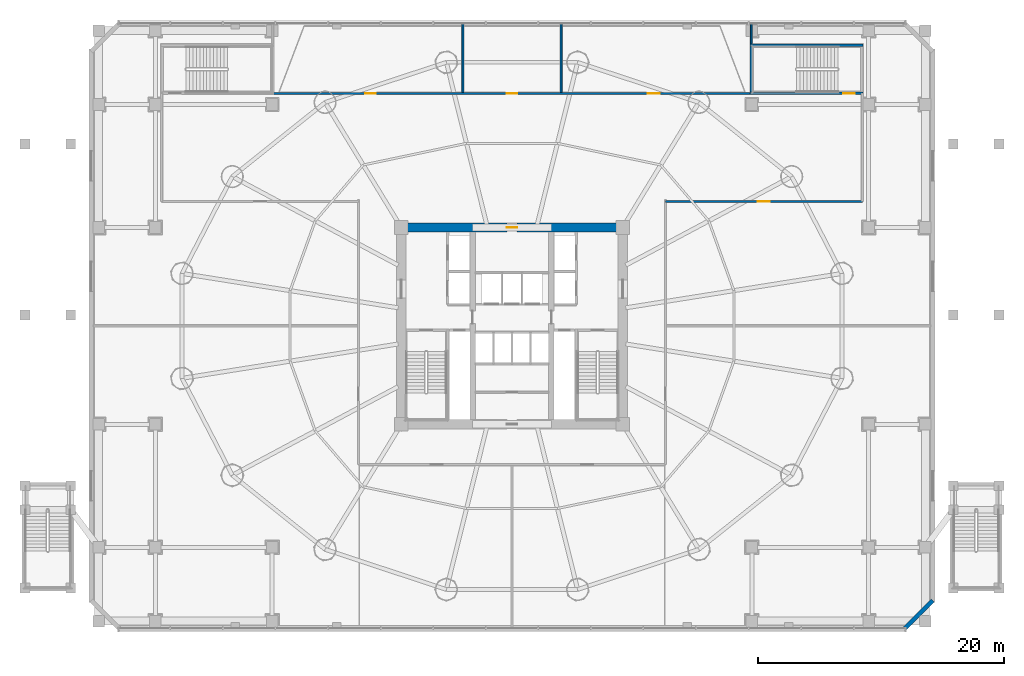
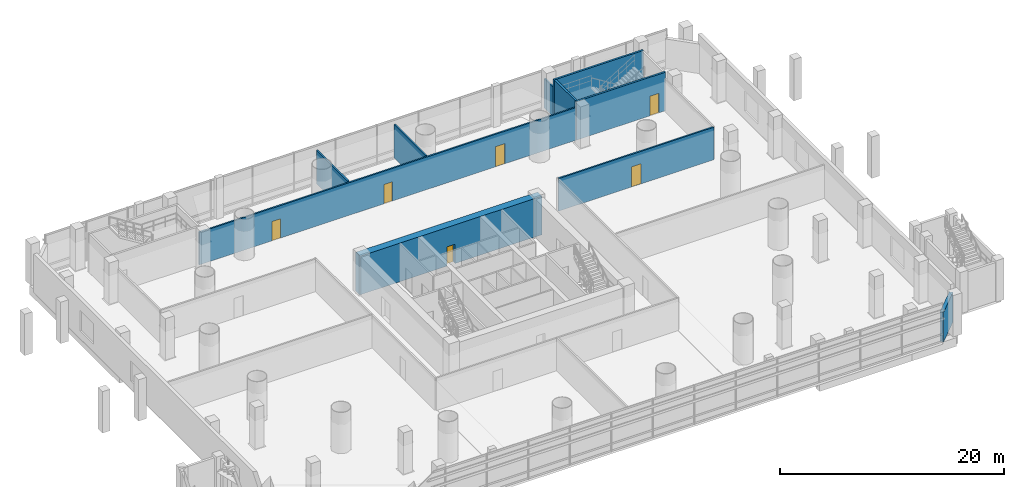
# One storey, part 23 of 36: 10 walls, 6 doors, 6 openings.
"""IFC4 building model written with IfcOpenShell, lengths in metres."""

from ifc_helpers import new_model, si_unit, direction, frame, frame_2d, origin, place, context, subcontext, project, spatial, rectangle, extrude, source, transform, mapped, material, layer, layer_set, type_object, element, fill, save


model = new_model("IFC4")

# Units and contexts
model_context = context("Model", 3, precision=1e-05, world=origin(), true_north=direction((-0.2419218956, 0.970295726276)))
body_context = subcontext(model_context, "Body", "Model", "MODEL_VIEW")
ifc_project = project(units=[si_unit("LENGTHUNIT", "METRE"), si_unit("AREAUNIT", "SQUARE_METRE"), si_unit("VOLUMEUNIT", "CUBIC_METRE"), si_unit("PLANEANGLEUNIT", "RADIAN"), si_unit("MASSUNIT", "GRAM", prefix="KILO")], contexts=[model_context])

# Site, building, storey
site_placement = place(None, origin())
site = spatial("IfcSite", under=ifc_project, at=site_placement, CompositionType="ELEMENT")
building_placement = place(site_placement, origin())
building = spatial("IfcBuilding", under=site, at=building_placement, Name="Cobrevalo Terracotta Tower", CompositionType="ELEMENT")
storey_placement = place(building_placement, frame((0.0, 0.0, 5.39990234375)))
storey = spatial("IfcBuildingStorey", under=building, at=storey_placement, Name="L01", CompositionType="ELEMENT", Elevation=5.39990234375)

# Wall
ifc_material_1 = material(Name="Concrete C45", Category="concrete")
ifc_layer_1 = layer(ifc_material_1, 0.35009765625)
ifc_layer_set_1 = layer_set([ifc_layer_1], Name="Concrete C45")
wall_type_1 = type_object("IfcWallType", Name="Board-marked precast architectural concrete facade wall 350 mm", PredefinedType="SOLIDWALL", material=ifc_layer_set_1)
wall_1_placement = place(storey_placement, frame((69.919921875, 2.199951171875, 0.0), z_axis=(0.0, 0.0, 1.0), x_axis=(0.707106781187, 0.707106781187, 0.0)))
element("IfcWall", 1, at=wall_1_placement, inside=storey, type_object=wall_type_1, Name="L01 chamfered corner pier SE", PredefinedType="SOLIDWALL", context=body_context, shape_type="SweptSolid", body=[
    extrude(rectangle(XDim=3.224365234375, YDim=0.35009765625, at=frame_2d((1.6123046875, 0.0))), origin(), (0.0, 0.0, 1.0), 3.235107421875),
])

# Wall, opening, door
ifc_material_2 = material(Name="Concrete C60", Category="concrete")
ifc_layer_2 = layer(ifc_material_2, 0.75)
ifc_layer_set_2 = layer_set([ifc_layer_2], Name="Concrete C60")
wall_type_2 = type_object("IfcWallType", Name="Core shear wall 750 mm Concrete C60", PredefinedType="SHEAR", material=ifc_layer_set_2)
wall_2_placement = place(storey_placement, frame((28.625, 34.800048828125, 0.0), z_axis=(0.0, 0.0, 1.0), x_axis=(1.0, 0.0, 0.0)))
wall_2 = element("IfcWall", 2, at=wall_2_placement, inside=storey, type_object=wall_type_2, Name="L01 north core shear wall", PredefinedType="SHEAR", context=body_context, shape_type="SweptSolid", body=[
    extrude(rectangle(XDim=18.75, YDim=0.75, at=frame_2d((9.375, 0.0))), origin(), (0.0, 0.0, 1.0), 4.2001953125),
])
opening_1_placement = place(wall_2_placement, frame((8.949951171875, 0.0, 0.0)))
opening_1 = element("IfcOpeningElement", 3, at=opening_1_placement, cuts=wall_2, Name="Opening ID-22", PredefinedType="OPENING", context=body_context, shape_type="SweptSolid", body=[
    extrude(rectangle(XDim=0.85009765625, YDim=2.10009765625, at=frame_2d((0.425048828125, 1.050048828125))), frame((0.0, 0.385009765625, 0.0), z_axis=(0.0, -1.0, 0.0), x_axis=(1.0, 0.0, 0.0)), (0.0, 0.0, 1.0), 0.77001953125),
])
ifc_material_3 = material(Name="Powder-coated steel", Category="steel")
door_type_1 = type_object("IfcDoorType", Name="Riser shaft & meter closet fire access door 850x2100 EI 60", OperationType="NOTDEFINED", PredefinedType="DOOR", material=ifc_material_3)
shared_shape_1 = source(origin(), body_context, "Body", "SweptSolid", [
    extrude(rectangle(XDim=0.85009765625, YDim=2.10009765625, at=frame_2d((0.425048828125, 1.050048828125))), frame((0.0, 0.02490234375, 0.0), z_axis=(0.0, -1.0, 0.0), x_axis=(1.0, 0.0, 0.0)), (0.0, 0.0, 1.0), 0.050048828125),
])
door_1_placement = place(opening_1_placement, frame((0.85009765625, 0.0, 0.0), z_axis=(0.0, 0.0, 1.0), x_axis=(-1.0, 0.0, 0.0)))
door_1 = element("IfcDoor", 4, at=door_1_placement, inside=storey, type_object=door_type_1, Name="L01 core north service door Floor Electrical Switchroom", OperationType="SINGLE_SWING_LEFT", OverallHeight=2.10009765625, OverallWidth=0.85009765625, PredefinedType="DOOR", context=body_context, shape_type="MappedRepresentation", body=[
    mapped(shared_shape_1, transform((0.0, 0.0, 0.0), scale=1.0)),
])
fill(opening_1, door_1)

ifc_material_4 = material(Name="Gypsum board on steel stud", Category="steel")
ifc_layer_3 = layer(ifc_material_4, 0.159912109375)
ifc_layer_set_3 = layer_set([ifc_layer_3], Name="Gypsum board on steel stud")
wall_type_3 = type_object("IfcWallType", Name="Fire-rated corridor acoustic partition wall 160 mm", PredefinedType="PARTITIONING", material=ifc_layer_set_3)
wall_3_placement = place(storey_placement, frame((50.47998046875, 36.919921875, 0.0), z_axis=(0.0, 0.0, 1.0), x_axis=(1.0, 0.0, 0.0)))
wall_3 = element("IfcWall", 5, at=wall_3_placement, inside=storey, type_object=wall_type_3, Name="L01 interior partition IW-L01-PC-SE", PredefinedType="PARTITIONING", context=body_context, shape_type="SweptSolid", body=[
    extrude(rectangle(XDim=16.0, YDim=0.159912109375, at=frame_2d((8.0, 0.0))), origin(), (0.0, 0.0, 1.0), 3.550048828125),
])
opening_2_placement = place(wall_3_placement, frame((7.510009765625, 0.0, 0.0)))
opening_2 = element("IfcOpeningElement", 6, at=opening_2_placement, cuts=wall_3, Name="Opening ID-05", PredefinedType="OPENING", context=body_context, shape_type="SweptSolid", body=[
    extrude(rectangle(XDim=0.97998046875, YDim=2.199951171875, at=frame_2d((0.489990234375, 1.10009765625))), frame((0.0, 0.08984375, 0.0), z_axis=(0.0, -1.0, 0.0), x_axis=(1.0, 0.0, 0.0)), (0.0, 0.0, 1.0), 0.179931640625),
])
ifc_material_5 = material(Name="Solid hardwood timber", Category="wood")
door_type_2 = type_object("IfcDoorType", Name="Residence entrance fire-rated acoustic timber door 980x2200 EI 60", OperationType="NOTDEFINED", PredefinedType="DOOR", material=ifc_material_5)
shared_shape_2 = source(origin(), body_context, "Body", "SweptSolid", [
    extrude(rectangle(XDim=0.97998046875, YDim=2.199951171875, at=frame_2d((0.489990234375, 1.10009765625))), frame((0.0, 0.02490234375, 0.0), z_axis=(0.0, -1.0, 0.0), x_axis=(1.0, 0.0, 0.0)), (0.0, 0.0, 1.0), 0.050048828125),
])
door_2_placement = place(opening_2_placement, frame((0.97998046875, 0.0, 0.0), z_axis=(0.0, 0.0, 1.0), x_axis=(-1.0, 0.0, 0.0)))
door_2 = element("IfcDoor", 7, at=door_2_placement, inside=storey, type_object=door_type_2, Name="L01 Culinary Kitchen door", OperationType="SINGLE_SWING_LEFT", OverallHeight=2.199951171875, OverallWidth=0.97998046875, PredefinedType="DOOR", context=body_context, shape_type="MappedRepresentation", body=[
    mapped(shared_shape_2, transform((0.0, 0.0, 0.0), scale=1.0)),
])
fill(opening_2, door_2)

# Wall, openings, doors
wall_4_placement = place(storey_placement, frame((18.550048828125, 45.699951171875, 0.0), z_axis=(0.0, 0.0, 1.0), x_axis=(1.0, 0.0, 0.0)))
wall_4 = element("IfcWall", 8, at=wall_4_placement, inside=storey, type_object=wall_type_3, Name="L01 interior partition IW-L01-PC-N", PredefinedType="PARTITIONING", context=body_context, shape_type="SweptSolid", body=[
    extrude(rectangle(XDim=38.89990234375, YDim=0.159912109375, at=frame_2d((19.449951171875, 0.0))), origin(), (0.0, 0.0, 1.0), 3.550048828125),
])
opening_3_placement = place(wall_4_placement, frame((7.5048828125, 0.0, 0.0)))
opening_3 = element("IfcOpeningElement", 9, at=opening_3_placement, cuts=wall_4, Name="Opening ID-07", PredefinedType="OPENING", context=body_context, shape_type="SweptSolid", body=[
    extrude(rectangle(XDim=0.860107421875, YDim=2.10009765625, at=frame_2d((0.43017578125, 1.050048828125))), frame((0.0, 0.08984375, 0.0), z_axis=(0.0, -1.0, 0.0), x_axis=(1.0, 0.0, 0.0)), (0.0, 0.0, 1.0), 0.179931640625),
])
opening_4_placement = place(wall_4_placement, frame((19.02001953125, 0.0, 0.0)))
opening_4 = element("IfcOpeningElement", 10, at=opening_4_placement, cuts=wall_4, Name="Opening ID-07", PredefinedType="OPENING", context=body_context, shape_type="SweptSolid", body=[
    extrude(rectangle(XDim=0.860107421875, YDim=2.10009765625, at=frame_2d((0.43017578125, 1.050048828125))), frame((0.0, 0.08984375, 0.0), z_axis=(0.0, -1.0, 0.0), x_axis=(1.0, 0.0, 0.0)), (0.0, 0.0, 1.0), 0.179931640625),
])
opening_5_placement = place(wall_4_placement, frame((30.47509765625, 0.0, 0.0)))
opening_5 = element("IfcOpeningElement", 11, at=opening_5_placement, cuts=wall_4, Name="Opening ID-05", PredefinedType="OPENING", context=body_context, shape_type="SweptSolid", body=[
    extrude(rectangle(XDim=0.97998046875, YDim=2.199951171875, at=frame_2d((0.489990234375, 1.10009765625))), frame((0.0, 0.08984375, 0.0), z_axis=(0.0, -1.0, 0.0), x_axis=(1.0, 0.0, 0.0)), (0.0, 0.0, 1.0), 0.179931640625),
])
ifc_material_6 = material(Name="Fire-rated moisture-sealed timber", Category="wood")
door_type_3 = type_object("IfcDoorType", Name="Core & podium fire-rated accessible WC door 860x2100 EI 60", OperationType="NOTDEFINED", PredefinedType="DOOR", material=ifc_material_6)
shared_shape_3 = source(origin(), body_context, "Body", "SweptSolid", [
    extrude(rectangle(XDim=0.860107421875, YDim=2.10009765625, at=frame_2d((0.43017578125, 1.050048828125))), frame((0.0, 0.02490234375, 0.0), z_axis=(0.0, -1.0, 0.0), x_axis=(1.0, 0.0, 0.0)), (0.0, 0.0, 1.0), 0.050048828125),
])
door_3_placement = place(opening_3_placement, frame((0.860107421875, 0.0, 0.0), z_axis=(0.0, 0.0, 1.0), x_axis=(-1.0, 0.0, 0.0)))
door_3 = element("IfcDoor", 12, at=door_3_placement, inside=storey, type_object=door_type_3, Name="L01 Public Restrooms door", OperationType="SINGLE_SWING_RIGHT", OverallHeight=2.10009765625, OverallWidth=0.860107421875, PredefinedType="DOOR", context=body_context, shape_type="MappedRepresentation", body=[
    mapped(shared_shape_3, transform((0.0, 0.0, 0.0), scale=1.0)),
])
fill(opening_3, door_3)
door_4_placement = place(opening_4_placement, frame((0.860107421875, 0.0, 0.0), z_axis=(0.0, 0.0, 1.0), x_axis=(-1.0, 0.0, 0.0)))
door_4 = element("IfcDoor", 13, at=door_4_placement, inside=storey, type_object=door_type_3, Name="L01 Accessible Restroom WC door", OperationType="SINGLE_SWING_LEFT", OverallHeight=2.10009765625, OverallWidth=0.860107421875, PredefinedType="DOOR", context=body_context, shape_type="MappedRepresentation", body=[
    mapped(shared_shape_3, transform((0.0, 0.0, 0.0), scale=1.0)),
])
fill(opening_4, door_4)
door_5_placement = place(opening_5_placement, frame((0.97998046875, 0.0, 0.0), z_axis=(0.0, 0.0, 1.0), x_axis=(-1.0, 0.0, 0.0)))
door_5 = element("IfcDoor", 14, at=door_5_placement, inside=storey, type_object=door_type_2, Name="L01 Podium Housekeeping Store door", OperationType="SINGLE_SWING_RIGHT", OverallHeight=2.199951171875, OverallWidth=0.97998046875, PredefinedType="DOOR", context=body_context, shape_type="MappedRepresentation", body=[
    mapped(shared_shape_2, transform((0.0, 0.0, 0.0), scale=1.0)),
])
fill(opening_5, door_5)

# Walls
for number, where, z_axis, x_axis, name in (
    (15, (34.0, 45.781982421875, 0.0), (0.0, 0.0, 1.0), (0.0, 1.0, 0.0), "L01 interior partition IW-L01-PN-1"),
    (16, (42.0, 45.781982421875, 0.0), (0.0, 0.0, 1.0), (0.0, 1.0, 0.0), "L01 interior partition IW-L01-PN-2"),
):
    element("IfcWall", number, at=place(storey_placement, frame(where, z_axis=z_axis, x_axis=x_axis)), inside=storey, type_object=wall_type_3, Name=name, PredefinedType="PARTITIONING", context=body_context, shape_type="SweptSolid", body=[
        extrude(rectangle(XDim=5.578125, YDim=0.159912109375, at=frame_2d((2.7890625, 0.0))), origin(), (0.0, 0.0, 1.0), 3.64208984375),
    ])
wall_5_placement = place(storey_placement, frame((57.449951171875, 49.721923828125, 0.0), z_axis=(0.0, 0.0, 1.0), x_axis=(0.0, 1.0, 0.0)))
element("IfcWall", 17, at=wall_5_placement, inside=storey, type_object=wall_type_3, Name="L01 interior partition IW-L01-PN-E", PredefinedType="PARTITIONING", context=body_context, shape_type="SweptSolid", body=[
    extrude(rectangle(XDim=1.63818359375, YDim=0.159912109375, at=frame_2d((0.819091796875, 0.0))), origin(), (0.0, 0.0, 1.0), 3.235107421875),
])

# Wall, opening, door
ifc_material_7 = material(Name="Concrete C50", Category="concrete")
ifc_layer_4 = layer(ifc_material_7, 0.199951171875)
ifc_layer_set_4 = layer_set([ifc_layer_4], Name="Concrete C50")
wall_type_4 = type_object("IfcWallType", Name="Structural core & podium stair-shaft RC wall 200 mm Concrete C50", PredefinedType="SOLIDWALL", material=ifc_layer_set_4)
wall_6_placement = place(storey_placement, frame((57.35009765625, 45.699951171875, 0.0), z_axis=(0.0, 0.0, 1.0), x_axis=(1.0, 0.0, 0.0)))
wall_6 = element("IfcWall", 18, at=wall_6_placement, inside=storey, type_object=wall_type_4, Name="L01 STP2 south structural shaft wall", PredefinedType="SOLIDWALL", context=body_context, shape_type="SweptSolid", body=[
    extrude(rectangle(XDim=9.199951171875, YDim=0.199951171875, at=frame_2d((4.60009765625, 0.0))), origin(), (0.0, 0.0, 1.0), 4.2001953125),
])
opening_6_placement = place(wall_6_placement, frame((7.574951171875, 0.0, 0.0)))
opening_6 = element("IfcOpeningElement", 19, at=opening_6_placement, cuts=wall_6, Name="Opening ID-04", PredefinedType="OPENING", context=body_context, shape_type="SweptSolid", body=[
    extrude(rectangle(XDim=0.949951171875, YDim=2.14990234375, at=frame_2d((0.47509765625, 1.074951171875))), frame((0.0, 0.10986328125, 0.0), z_axis=(0.0, -1.0, 0.0), x_axis=(1.0, 0.0, 0.0)), (0.0, 0.0, 1.0), 0.219970703125),
])
ifc_material_8 = material(Name="Galvanized fire-rated steel", Category="steel")
door_type_4 = type_object("IfcDoorType", Name="Stair & firefighting lobby fire door 950x2150 EI 90", OperationType="NOTDEFINED", PredefinedType="DOOR", material=ifc_material_8)
shared_shape_4 = source(origin(), body_context, "Body", "SweptSolid", [
    extrude(rectangle(XDim=0.949951171875, YDim=2.14990234375, at=frame_2d((0.47509765625, 1.074951171875))), frame((0.0, 0.02490234375, 0.0), z_axis=(0.0, -1.0, 0.0), x_axis=(1.0, 0.0, 0.0)), (0.0, 0.0, 1.0), 0.050048828125),
])
door_6_placement = place(opening_6_placement, frame((0.949951171875, 0.0, 0.0), z_axis=(0.0, 0.0, 1.0), x_axis=(-1.0, 0.0, 0.0)))
door_6 = element("IfcDoor", 20, at=door_6_placement, inside=storey, type_object=door_type_4, Name="L01 podium exit stair STP2 fire door", OperationType="SINGLE_SWING_RIGHT", OverallHeight=2.14990234375, OverallWidth=0.949951171875, PredefinedType="DOOR", context=body_context, shape_type="MappedRepresentation", body=[
    mapped(shared_shape_4, transform((0.0, 0.0, 0.0), scale=1.0)),
])
fill(opening_6, door_6)

# Walls
wall_7_placement = place(storey_placement, frame((57.35009765625, 49.6201171875, 0.0), z_axis=(0.0, 0.0, 1.0), x_axis=(1.0, 0.0, 0.0)))
element("IfcWall", 21, at=wall_7_placement, inside=storey, type_object=wall_type_4, Name="L01 STP2 north structural shaft wall", PredefinedType="SOLIDWALL", context=body_context, shape_type="SweptSolid", body=[
    extrude(rectangle(XDim=9.199951171875, YDim=0.199951171875, at=frame_2d((4.60009765625, 0.0))), origin(), (0.0, 0.0, 1.0), 4.2001953125),
])
wall_8_placement = place(storey_placement, frame((57.449951171875, 45.800048828125, 0.0), z_axis=(0.0, 0.0, 1.0), x_axis=(0.0, 1.0, 0.0)))
element("IfcWall", 22, at=wall_8_placement, inside=storey, type_object=wall_type_4, Name="L01 STP2 west structural shaft wall", PredefinedType="SOLIDWALL", context=body_context, shape_type="SweptSolid", body=[
    extrude(rectangle(XDim=3.719970703125, YDim=0.199951171875, at=frame_2d((1.85986328125, 0.0))), origin(), (0.0, 0.0, 1.0), 4.2001953125),
])

save(model, "model.ifc")
